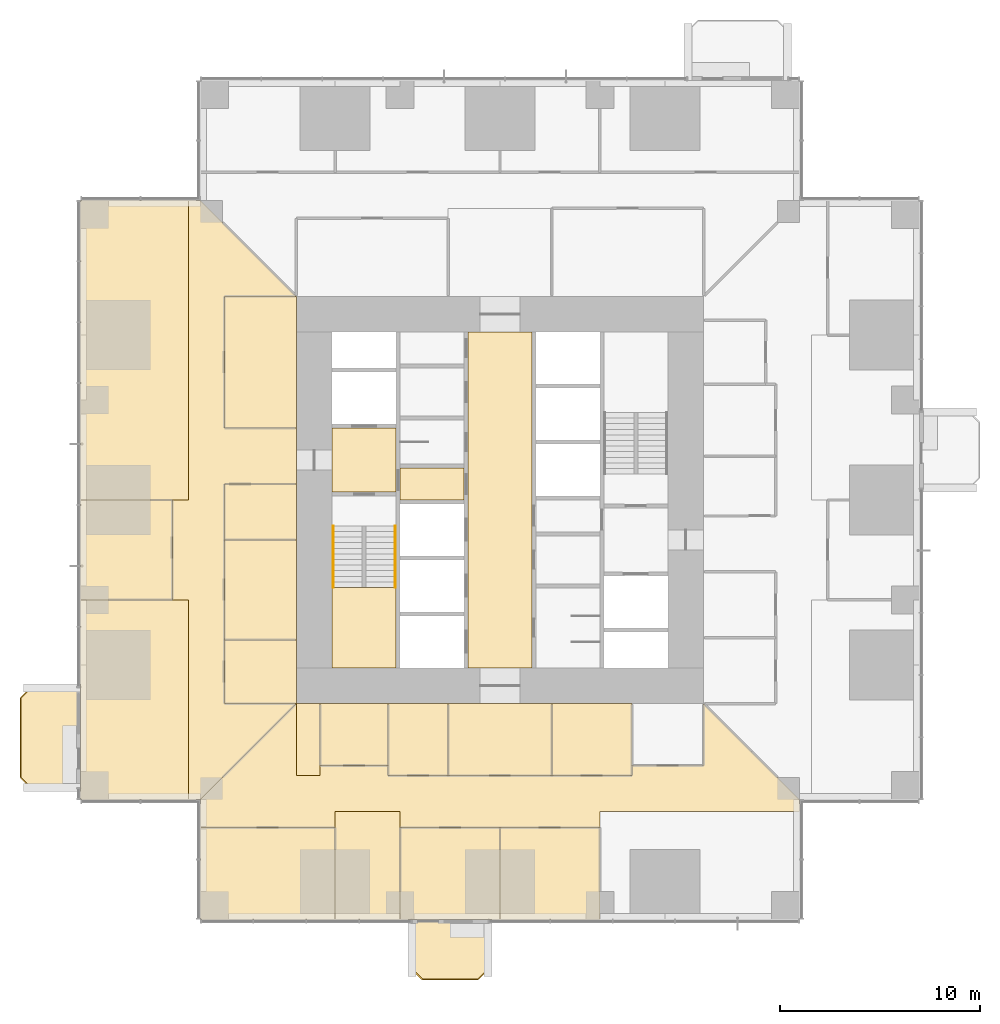
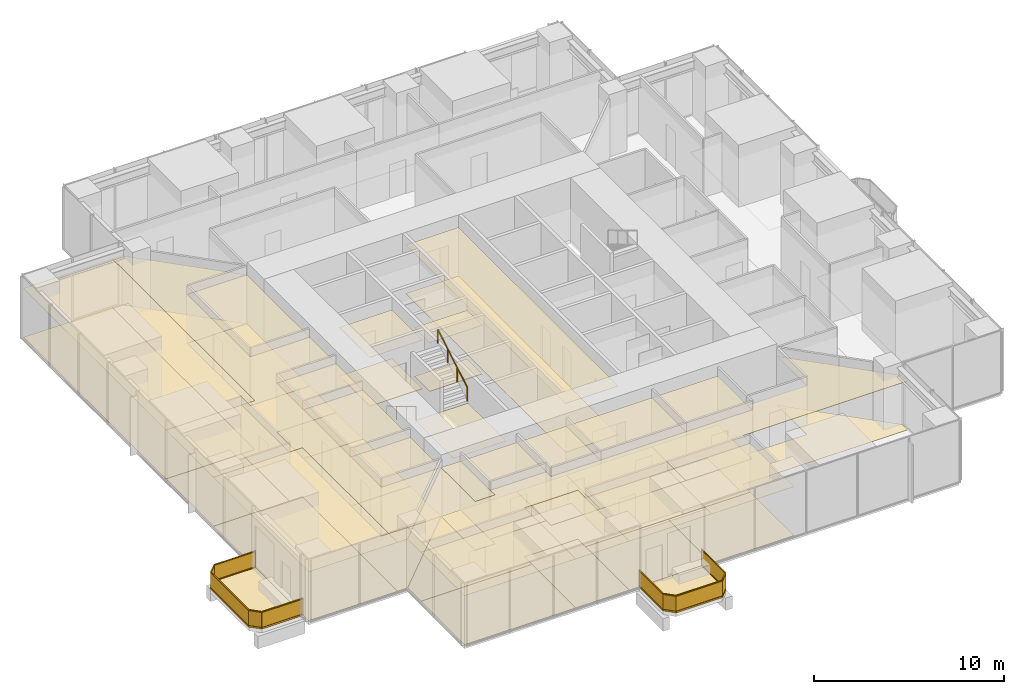
# One storey, part 15 of 18: 45 coverings, 4 railings.
"""IFC4 building model written with IfcOpenShell, lengths in metres."""

from ifc_helpers import new_model, si_unit, direction, frame, origin, origin_2d, place, context, subcontext, project, spatial, polyline, rectangle, circle, outline, extrude, material, layer, layer_set, type_object, element, save


model = new_model("IFC4")

# Units and contexts
model_context = context("Model", 3, precision=1e-05, world=origin(), true_north=direction((0.0, 1.0)))
body_context = subcontext(model_context, "Body", "Model", "MODEL_VIEW")
ifc_project = project(units=[si_unit("LENGTHUNIT", "METRE"), si_unit("AREAUNIT", "SQUARE_METRE"), si_unit("VOLUMEUNIT", "CUBIC_METRE"), si_unit("PLANEANGLEUNIT", "RADIAN"), si_unit("MASSUNIT", "GRAM", prefix="KILO")], contexts=[model_context])

# Site, building, storey
site_placement = place(None, origin())
site = spatial("IfcSite", under=ifc_project, at=site_placement, CompositionType="ELEMENT")
building_placement = place(site_placement, origin())
building = spatial("IfcBuilding", under=site, at=building_placement, Name="Svetlomir Tower", CompositionType="ELEMENT")
storey_placement = place(building_placement, frame((0.0, 0.0, 54.5)))
storey = spatial("IfcBuildingStorey", under=building, at=storey_placement, Name="L12", CompositionType="ELEMENT", Elevation=54.5)

# Railings
ifc_material_1 = material(Name="Bronze anodised aluminium and laminated glass", Category="aluminium")
railing_type_1 = type_object("IfcRailingType", Name="BALCONY GUARD GR1 1100", PredefinedType="GUARDRAIL", material=ifc_material_1)
railing_1_placement = place(storey_placement, frame((16.60009765625, 0.0, 0.0)))
element("IfcRailing", 1, at=railing_1_placement, inside=storey, type_object=railing_type_1, Name="Balcony guard S L12", PredefinedType="GUARDRAIL", context=body_context, shape_type="SweptSolid", body=[
    extrude(rectangle(XDim=0.06005859375, YDim=0.10009765625, at=origin_2d()), frame((0.0, 0.0, 0.050048828125), z_axis=(0.0, -1.0, 0.0), x_axis=(1.0, 0.0, 0.0)), (0.0, 0.0, 1.0), 2.5),
    extrude(rectangle(XDim=0.021484375, YDim=0.960205078125, at=origin_2d()), frame((0.0, 0.0, 0.580078125), z_axis=(0.0, -1.0, 0.0), x_axis=(1.0, 0.0, 0.0)), (0.0, 0.0, 1.0), 2.5),
    extrude(rectangle(XDim=0.06005859375, YDim=0.0400390625, at=origin_2d()), frame((0.0, 0.0, 1.080078125), z_axis=(0.0, -1.0, 0.0), x_axis=(1.0, 0.0, 0.0)), (0.0, 0.0, 1.0), 2.5),
    extrude(rectangle(XDim=0.06005859375, YDim=0.10009765625, at=origin_2d()), frame((0.0, -2.5, 0.050048828125), z_axis=(0.707106781187, -0.707106781187, 0.0), x_axis=(0.707106781187, 0.707106781187, 0.0)), (0.0, 0.0, 1.0), 0.70703125),
    extrude(rectangle(XDim=0.021484375, YDim=0.960205078125, at=origin_2d()), frame((0.0, -2.5, 0.580078125), z_axis=(0.707106781187, -0.707106781187, 0.0), x_axis=(0.707106781187, 0.707106781187, 0.0)), (0.0, 0.0, 1.0), 0.70703125),
    extrude(rectangle(XDim=0.06005859375, YDim=0.0400390625, at=origin_2d()), frame((0.0, -2.5, 1.080078125), z_axis=(0.707106781187, -0.707106781187, 0.0), x_axis=(0.707106781187, 0.707106781187, 0.0)), (0.0, 0.0, 1.0), 0.70703125),
    extrude(rectangle(XDim=0.06005859375, YDim=0.10009765625, at=origin_2d()), frame((0.5, -3.0, 0.050048828125), z_axis=(1.0, 0.0, 0.0), x_axis=(0.0, 1.0, 0.0)), (0.0, 0.0, 1.0), 2.7998046875),
    extrude(rectangle(XDim=0.021484375, YDim=0.960205078125, at=origin_2d()), frame((0.5, -3.0, 0.580078125), z_axis=(1.0, 0.0, 0.0), x_axis=(0.0, 1.0, 0.0)), (0.0, 0.0, 1.0), 2.7998046875),
    extrude(rectangle(XDim=0.06005859375, YDim=0.0400390625, at=origin_2d()), frame((0.5, -3.0, 1.080078125), z_axis=(1.0, 0.0, 0.0), x_axis=(0.0, 1.0, 0.0)), (0.0, 0.0, 1.0), 2.7998046875),
    extrude(rectangle(XDim=0.06005859375, YDim=0.10009765625, at=origin_2d()), frame((3.2998046875, -3.0, 0.050048828125), z_axis=(0.707106781187, 0.707106781187, 0.0), x_axis=(-0.707106781187, 0.707106781187, 0.0)), (0.0, 0.0, 1.0), 0.70703125),
    extrude(rectangle(XDim=0.021484375, YDim=0.960205078125, at=origin_2d()), frame((3.2998046875, -3.0, 0.580078125), z_axis=(0.707106781187, 0.707106781187, 0.0), x_axis=(-0.707106781187, 0.707106781187, 0.0)), (0.0, 0.0, 1.0), 0.70703125),
    extrude(rectangle(XDim=0.06005859375, YDim=0.0400390625, at=origin_2d()), frame((3.2998046875, -3.0, 1.080078125), z_axis=(0.707106781187, 0.707106781187, 0.0), x_axis=(-0.707106781187, 0.707106781187, 0.0)), (0.0, 0.0, 1.0), 0.70703125),
    extrude(rectangle(XDim=0.06005859375, YDim=0.10009765625, at=origin_2d()), frame((3.7998046875, -2.5, 0.050048828125), z_axis=(0.0, 1.0, 0.0), x_axis=(-1.0, 0.0, 0.0)), (0.0, 0.0, 1.0), 2.5),
    extrude(rectangle(XDim=0.021484375, YDim=0.960205078125, at=origin_2d()), frame((3.7998046875, -2.5, 0.580078125), z_axis=(0.0, 1.0, 0.0), x_axis=(-1.0, 0.0, 0.0)), (0.0, 0.0, 1.0), 2.5),
    extrude(rectangle(XDim=0.06005859375, YDim=0.0400390625, at=origin_2d()), frame((3.7998046875, -2.5, 1.080078125), z_axis=(0.0, 1.0, 0.0), x_axis=(-1.0, 0.0, 0.0)), (0.0, 0.0, 1.0), 2.5),
])
railing_2_placement = place(storey_placement, frame((0.0, 11.60009765625, 0.0)))
element("IfcRailing", 2, at=railing_2_placement, inside=storey, type_object=railing_type_1, Name="Balcony guard W L12", PredefinedType="GUARDRAIL", context=body_context, shape_type="SweptSolid", body=[
    extrude(rectangle(XDim=0.06005859375, YDim=0.10009765625, at=origin_2d()), frame((0.0, 0.0, 0.050048828125), z_axis=(-1.0, 0.0, 0.0), x_axis=(0.0, -1.0, 0.0)), (0.0, 0.0, 1.0), 2.5),
    extrude(rectangle(XDim=0.021484375, YDim=0.960205078125, at=origin_2d()), frame((0.0, 0.0, 0.580078125), z_axis=(-1.0, 0.0, 0.0), x_axis=(0.0, -1.0, 0.0)), (0.0, 0.0, 1.0), 2.5),
    extrude(rectangle(XDim=0.06005859375, YDim=0.0400390625, at=origin_2d()), frame((0.0, 0.0, 1.080078125), z_axis=(-1.0, 0.0, 0.0), x_axis=(0.0, -1.0, 0.0)), (0.0, 0.0, 1.0), 2.5),
    extrude(rectangle(XDim=0.06005859375, YDim=0.10009765625, at=origin_2d()), frame((-2.5, 0.0, 0.050048828125), z_axis=(-0.707106781187, -0.707106781187, 0.0), x_axis=(0.707106781187, -0.707106781187, 0.0)), (0.0, 0.0, 1.0), 0.70703125),
    extrude(rectangle(XDim=0.021484375, YDim=0.960205078125, at=origin_2d()), frame((-2.5, 0.0, 0.580078125), z_axis=(-0.707106781187, -0.707106781187, 0.0), x_axis=(0.707106781187, -0.707106781187, 0.0)), (0.0, 0.0, 1.0), 0.70703125),
    extrude(rectangle(XDim=0.06005859375, YDim=0.0400390625, at=origin_2d()), frame((-2.5, 0.0, 1.080078125), z_axis=(-0.707106781187, -0.707106781187, 0.0), x_axis=(0.707106781187, -0.707106781187, 0.0)), (0.0, 0.0, 1.0), 0.70703125),
    extrude(rectangle(XDim=0.06005859375, YDim=0.10009765625, at=origin_2d()), frame((-3.0, -0.5, 0.050048828125), z_axis=(0.0, -1.0, 0.0), x_axis=(1.0, 0.0, 0.0)), (0.0, 0.0, 1.0), 4.0),
    extrude(rectangle(XDim=0.021484375, YDim=0.960205078125, at=origin_2d()), frame((-3.0, -0.5, 0.580078125), z_axis=(0.0, -1.0, 0.0), x_axis=(1.0, 0.0, 0.0)), (0.0, 0.0, 1.0), 4.0),
    extrude(rectangle(XDim=0.06005859375, YDim=0.0400390625, at=origin_2d()), frame((-3.0, -0.5, 1.080078125), z_axis=(0.0, -1.0, 0.0), x_axis=(1.0, 0.0, 0.0)), (0.0, 0.0, 1.0), 4.0),
    extrude(rectangle(XDim=0.06005859375, YDim=0.10009765625, at=origin_2d()), frame((-3.0, -4.5, 0.050048828125), z_axis=(0.707106781187, -0.707106781187, 0.0), x_axis=(0.707106781187, 0.707106781187, 0.0)), (0.0, 0.0, 1.0), 0.70703125),
    extrude(rectangle(XDim=0.021484375, YDim=0.960205078125, at=origin_2d()), frame((-3.0, -4.5, 0.580078125), z_axis=(0.707106781187, -0.707106781187, 0.0), x_axis=(0.707106781187, 0.707106781187, 0.0)), (0.0, 0.0, 1.0), 0.70703125),
    extrude(rectangle(XDim=0.06005859375, YDim=0.0400390625, at=origin_2d()), frame((-3.0, -4.5, 1.080078125), z_axis=(0.707106781187, -0.707106781187, 0.0), x_axis=(0.707106781187, 0.707106781187, 0.0)), (0.0, 0.0, 1.0), 0.70703125),
    extrude(rectangle(XDim=0.06005859375, YDim=0.10009765625, at=origin_2d()), frame((-2.5, -5.0, 0.050048828125), z_axis=(1.0, 0.0, 0.0), x_axis=(0.0, 1.0, 0.0)), (0.0, 0.0, 1.0), 2.5),
    extrude(rectangle(XDim=0.021484375, YDim=0.960205078125, at=origin_2d()), frame((-2.5, -5.0, 0.580078125), z_axis=(1.0, 0.0, 0.0), x_axis=(0.0, 1.0, 0.0)), (0.0, 0.0, 1.0), 2.5),
    extrude(rectangle(XDim=0.06005859375, YDim=0.0400390625, at=origin_2d()), frame((-2.5, -5.0, 1.080078125), z_axis=(1.0, 0.0, 0.0), x_axis=(0.0, 1.0, 0.0)), (0.0, 0.0, 1.0), 2.5),
])

# Coverings
ifc_material_2 = material(Name="Granite paving slabs on pedestals", Category="masonry")
ifc_layer_1 = layer(ifc_material_2, 0.0400390625)
ifc_layer_set_1 = layer_set([ifc_layer_1], Name="Granite paving slabs on pedestals")
covering_type_1 = type_object("IfcCoveringType", Name="BALCONY PAVING 40", PredefinedType="USERDEFINED", material=ifc_layer_set_1)
covering_1_placement = place(storey_placement, origin())
element("IfcCovering", 3, at=covering_1_placement, inside=storey, type_object=covering_type_1, Name="Balcony paving S L12", ObjectType="BALCONY PAVING", PredefinedType="USERDEFINED", context=body_context, shape_type="SweptSolid", body=[
    extrude(outline(polyline([(16.60009765625, -2.5), (17.10009765625, -3.0), (19.89990234375, -3.0), (20.39990234375, -2.5), (20.39990234375, 0.0), (16.60009765625, 0.0), (16.60009765625, -2.5)])), origin(), (0.0, 0.0, 1.0), 0.0400390625),
])
covering_2_placement = place(storey_placement, origin())
element("IfcCovering", 4, at=covering_2_placement, inside=storey, type_object=covering_type_1, Name="Balcony paving W L12", ObjectType="BALCONY PAVING", PredefinedType="USERDEFINED", context=body_context, shape_type="SweptSolid", body=[
    extrude(outline(polyline([(-2.5, 6.60009765625), (0.0, 6.60009765625), (0.0, 11.60009765625), (-2.5, 11.60009765625), (-3.0, 11.10009765625), (-3.0, 7.10009765625), (-2.5, 6.60009765625)])), origin(), (0.0, 0.0, 1.0), 0.0400390625),
])
ifc_material_3 = material(Name="Carpet tile", Category="textile")
ifc_layer_2 = layer(ifc_material_3, 0.010009765625)
ifc_layer_set_2 = layer_set([ifc_layer_2], Name="Carpet tile")
covering_type_2 = type_object("IfcCoveringType", Name="CARPET TILE FLOOR 10", PredefinedType="FLOORING", material=ifc_layer_set_2)
covering_3_placement = place(storey_placement, origin())
element("IfcCovering", 5, at=covering_3_placement, inside=storey, type_object=covering_type_2, Name="Floor finish L12-13", PredefinedType="FLOORING", context=body_context, shape_type="SweptSolid", body=[
    extrude(outline(polyline([(12.0, 7.699951171875), (15.39990234375, 7.699951171875), (15.39990234375, 10.800048828125), (12.0, 10.800048828125), (12.0, 7.699951171875)])), origin(), (0.0, 0.0, 1.0), 0.010009765625),
])
covering_4_placement = place(storey_placement, origin())
element("IfcCovering", 6, at=covering_4_placement, inside=storey, type_object=covering_type_2, Name="Floor finish L12-14", PredefinedType="FLOORING", context=body_context, shape_type="SweptSolid", body=[
    extrude(outline(polyline([(15.39990234375, 7.199951171875), (18.39990234375, 7.199951171875), (18.39990234375, 10.800048828125), (15.39990234375, 10.800048828125), (15.39990234375, 7.199951171875)])), origin(), (0.0, 0.0, 1.0), 0.010009765625),
])
covering_5_placement = place(storey_placement, origin())
element("IfcCovering", 7, at=covering_5_placement, inside=storey, type_object=covering_type_2, Name="Floor finish L12-15", PredefinedType="FLOORING", context=body_context, shape_type="SweptSolid", body=[
    extrude(outline(polyline([(23.60009765625, 7.199951171875), (27.60009765625, 7.199951171875), (27.60009765625, 10.800048828125), (23.60009765625, 10.800048828125), (23.60009765625, 7.199951171875)])), origin(), (0.0, 0.0, 1.0), 0.010009765625),
])
covering_6_placement = place(storey_placement, origin())
element("IfcCovering", 8, at=covering_6_placement, inside=storey, type_object=covering_type_2, Name="Floor finish L12-17", PredefinedType="FLOORING", context=body_context, shape_type="SweptSolid", body=[
    extrude(outline(polyline([(6.0, 0.0), (12.75, 0.0), (12.75, 4.60009765625), (6.0, 4.60009765625), (6.0, 0.0)])), origin(), (0.0, 0.0, 1.0), 0.010009765625),
])
covering_7_placement = place(storey_placement, origin())
element("IfcCovering", 9, at=covering_7_placement, inside=storey, type_object=covering_type_2, Name="Floor finish L12-18", PredefinedType="FLOORING", context=body_context, shape_type="SweptSolid", body=[
    extrude(outline(polyline([(16.0, 0.0), (21.0, 0.0), (21.0, 4.60009765625), (16.0, 4.60009765625), (16.0, 0.0)])), origin(), (0.0, 0.0, 1.0), 0.010009765625),
])
covering_8_placement = place(storey_placement, origin())
element("IfcCovering", 10, at=covering_8_placement, inside=storey, type_object=covering_type_2, Name="Floor finish L12-19", PredefinedType="FLOORING", context=body_context, shape_type="SweptSolid", body=[
    extrude(outline(polyline([(21.0, 0.0), (26.0, 0.0), (26.0, 4.60009765625), (21.0, 4.60009765625), (21.0, 0.0)])), origin(), (0.0, 0.0, 1.0), 0.010009765625),
])
covering_9_placement = place(storey_placement, origin())
element("IfcCovering", 11, at=covering_9_placement, inside=storey, type_object=covering_type_2, Name="Floor finish L12-30", PredefinedType="FLOORING", context=body_context, shape_type="SweptSolid", body=[
    extrude(outline(polyline([(7.199951171875, 10.800048828125), (10.800048828125, 10.800048828125), (10.800048828125, 14.0), (7.199951171875, 14.0), (7.199951171875, 10.800048828125)])), origin(), (0.0, 0.0, 1.0), 0.010009765625),
])
covering_10_placement = place(storey_placement, origin())
element("IfcCovering", 12, at=covering_10_placement, inside=storey, type_object=covering_type_2, Name="Floor finish L12-31", PredefinedType="FLOORING", context=body_context, shape_type="SweptSolid", body=[
    extrude(outline(polyline([(7.199951171875, 14.0), (10.800048828125, 14.0), (10.800048828125, 19.0), (7.199951171875, 19.0), (7.199951171875, 14.0)])), origin(), (0.0, 0.0, 1.0), 0.010009765625),
])
covering_11_placement = place(storey_placement, origin())
element("IfcCovering", 13, at=covering_11_placement, inside=storey, type_object=covering_type_2, Name="Floor finish L12-32", PredefinedType="FLOORING", context=body_context, shape_type="SweptSolid", body=[
    extrude(outline(polyline([(7.199951171875, 24.60009765625), (10.800048828125, 24.60009765625), (10.800048828125, 31.199951171875), (7.199951171875, 31.199951171875), (7.199951171875, 24.60009765625)])), origin(), (0.0, 0.0, 1.0), 0.010009765625),
])
covering_12_placement = place(storey_placement, origin())
element("IfcCovering", 14, at=covering_12_placement, inside=storey, type_object=covering_type_2, Name="Floor finish L12-33", PredefinedType="FLOORING", context=body_context, shape_type="SweptSolid", body=[
    extrude(outline(polyline([(0.0, 16.0), (4.60009765625, 16.0), (4.60009765625, 21.0), (0.0, 21.0), (0.0, 16.0)])), origin(), (0.0, 0.0, 1.0), 0.010009765625),
])
covering_13_placement = place(storey_placement, origin())
element("IfcCovering", 15, at=covering_13_placement, inside=storey, type_object=covering_type_2, Name="Floor finish L12-34", PredefinedType="FLOORING", context=body_context, shape_type="SweptSolid", body=[
    extrude(outline(polyline([(6.0, 6.0), (10.800048828125, 10.800048828125), (10.800048828125, 7.199951171875), (12.0, 7.199951171875), (12.0, 7.699951171875), (15.39990234375, 7.699951171875), (15.39990234375, 7.199951171875), (27.60009765625, 7.199951171875), (27.60009765625, 7.699951171875), (31.199951171875, 7.699951171875), (31.199951171875, 10.800048828125), (36.0, 6.0), (36.0, 5.39990234375), (26.0, 5.39990234375), (26.0, 4.60009765625), (16.0, 4.60009765625), (16.0, 5.39990234375), (12.75, 5.39990234375), (12.75, 4.60009765625), (6.0, 4.60009765625), (6.0, 6.0)])), origin(), (0.0, 0.0, 1.0), 0.010009765625),
])
covering_14_placement = place(storey_placement, origin())
element("IfcCovering", 16, at=covering_14_placement, inside=storey, type_object=covering_type_2, Name="Floor finish L12-37", PredefinedType="FLOORING", context=body_context, shape_type="SweptSolid", body=[
    extrude(outline(polyline([(5.39990234375, 6.0), (5.39990234375, 16.0), (4.60009765625, 16.0), (4.60009765625, 21.0), (5.39990234375, 21.0), (5.39990234375, 36.0), (6.0, 36.0), (10.800048828125, 31.199951171875), (7.199951171875, 31.199951171875), (7.199951171875, 24.60009765625), (10.800048828125, 24.60009765625), (10.800048828125, 21.800048828125), (7.199951171875, 21.800048828125), (7.199951171875, 10.800048828125), (10.800048828125, 10.800048828125), (6.0, 6.0), (5.39990234375, 6.0)])), origin(), (0.0, 0.0, 1.0), 0.010009765625),
])
covering_15_placement = place(storey_placement, origin())
element("IfcCovering", 17, at=covering_15_placement, inside=storey, type_object=covering_type_2, Name="Floor finish L12-38", PredefinedType="FLOORING", context=body_context, shape_type="SweptSolid", body=[
    extrude(outline(polyline([(12.75, 5.39990234375), (16.0, 5.39990234375), (16.0, 0.0), (12.75, 0.0), (12.75, 5.39990234375)])), origin(), (0.0, 0.0, 1.0), 0.010009765625),
])
covering_16_placement = place(storey_placement, origin())
element("IfcCovering", 18, at=covering_16_placement, inside=storey, type_object=covering_type_2, Name="Floor finish L12-40", PredefinedType="FLOORING", context=body_context, shape_type="SweptSolid", body=[
    extrude(outline(polyline([(23.60009765625, 10.800048828125), (23.60009765625, 7.199951171875), (18.39990234375, 7.199951171875), (18.39990234375, 10.800048828125), (23.60009765625, 10.800048828125)])), origin(), (0.0, 0.0, 1.0), 0.010009765625),
])
covering_17_placement = place(storey_placement, origin())
element("IfcCovering", 19, at=covering_17_placement, inside=storey, type_object=covering_type_2, Name="Floor finish L12-41", PredefinedType="FLOORING", context=body_context, shape_type="SweptSolid", body=[
    extrude(outline(polyline([(12.0, 7.199951171875), (10.800048828125, 7.199951171875), (10.800048828125, 10.800048828125), (12.0, 10.800048828125), (12.0, 7.199951171875)])), origin(), (0.0, 0.0, 1.0), 0.010009765625),
])
covering_18_placement = place(storey_placement, origin())
element("IfcCovering", 20, at=covering_18_placement, inside=storey, type_object=covering_type_2, Name="Floor finish L12-48", PredefinedType="FLOORING", context=body_context, shape_type="SweptSolid", body=[
    extrude(outline(polyline([(0.0, 16.0), (5.39990234375, 16.0), (5.39990234375, 6.0), (0.0, 6.0), (0.0, 16.0)])), origin(), (0.0, 0.0, 1.0), 0.010009765625),
])
covering_19_placement = place(storey_placement, origin())
element("IfcCovering", 21, at=covering_19_placement, inside=storey, type_object=covering_type_2, Name="Floor finish L12-49", PredefinedType="FLOORING", context=body_context, shape_type="SweptSolid", body=[
    extrude(outline(polyline([(0.0, 36.0), (5.39990234375, 36.0), (5.39990234375, 21.0), (0.0, 21.0), (0.0, 36.0)])), origin(), (0.0, 0.0, 1.0), 0.010009765625),
])
covering_20_placement = place(storey_placement, origin())
element("IfcCovering", 22, at=covering_20_placement, inside=storey, type_object=covering_type_2, Name="Floor finish L12-50", PredefinedType="FLOORING", context=body_context, shape_type="SweptSolid", body=[
    extrude(outline(polyline([(7.199951171875, 19.0), (7.199951171875, 21.800048828125), (10.800048828125, 21.800048828125), (10.800048828125, 19.0), (7.199951171875, 19.0)])), origin(), (0.0, 0.0, 1.0), 0.010009765625),
])

# Railings
ifc_material_4 = material(Name="Stainless steel", Category="steel")
railing_type_2 = type_object("IfcRailingType", Name="HANDRAIL HR1 900", PredefinedType="HANDRAIL", material=ifc_material_4)
railing_3_placement = place(storey_placement, frame((12.64990234375, 19.699951171875, 0.166748046875)))
element("IfcRailing", 23, at=railing_3_placement, inside=storey, type_object=railing_type_2, Name="Handrail S1 flight 1 L12", PredefinedType="HANDRAIL", context=body_context, shape_type="SweptSolid", body=[
    extrude(circle(Radius=0.02392578125, at=origin_2d()), frame((0.0, 0.0, 0.8759765625), z_axis=(0.0, -0.859290745958, 0.51148745235), x_axis=(1.0, 0.0, 0.0)), (0.0, 0.0, 1.0), 3.584228515625),
    extrude(circle(Radius=0.02099609375, at=origin_2d()), origin(), (0.0, 0.0, 1.0), 0.851806640625),
    extrude(circle(Radius=0.02099609375, at=origin_2d()), frame((0.0, -1.026611328125, 0.611083984375)), (0.0, 0.0, 1.0), 0.851806640625),
    extrude(circle(Radius=0.02099609375, at=origin_2d()), frame((0.0, -2.05322265625, 1.22216796875)), (0.0, 0.0, 1.0), 0.851806640625),
    extrude(circle(Radius=0.02099609375, at=origin_2d()), frame((0.0, -3.079833984375, 1.833251953125)), (0.0, 0.0, 1.0), 0.851806640625),
])
railing_4_placement = place(storey_placement, frame((15.75, 16.6201171875, 2.166748046875)))
element("IfcRailing", 24, at=railing_4_placement, inside=storey, type_object=railing_type_2, Name="Handrail S1 flight 2 L12", PredefinedType="HANDRAIL", context=body_context, shape_type="SweptSolid", body=[
    extrude(circle(Radius=0.02392578125, at=origin_2d()), frame((0.0, 0.0, 0.8759765625), z_axis=(0.0, 0.859290745958, 0.51148745235), x_axis=(-1.0, 0.0, 0.0)), (0.0, 0.0, 1.0), 3.584228515625),
    extrude(circle(Radius=0.02099609375, at=origin_2d()), origin(), (0.0, 0.0, 1.0), 0.851806640625),
    extrude(circle(Radius=0.02099609375, at=origin_2d()), frame((0.0, 1.026611328125, 0.611083984375)), (0.0, 0.0, 1.0), 0.851806640625),
    extrude(circle(Radius=0.02099609375, at=origin_2d()), frame((0.0, 2.05322265625, 1.22216796875)), (0.0, 0.0, 1.0), 0.851806640625),
    extrude(circle(Radius=0.02099609375, at=origin_2d()), frame((0.0, 3.079833984375, 1.833251953125)), (0.0, 0.0, 1.0), 0.851806640625),
])

# Coverings
ifc_material_5 = material(Name="Gypsum plasterboard ceiling", Category="gypsum")
ifc_layer_3 = layer(ifc_material_5, 0.014892578125)
ifc_layer_set_3 = layer_set([ifc_layer_3], Name="Gypsum plasterboard ceiling")
covering_type_3 = type_object("IfcCoveringType", Name="PLASTERBOARD CEILING 15", PredefinedType="CEILING", material=ifc_layer_set_3)
covering_21_placement = place(storey_placement, frame((0.0, 0.0, 3.135009765625)))
element("IfcCovering", 25, at=covering_21_placement, inside=storey, type_object=covering_type_3, Name="Ceiling L12-02", PredefinedType="CEILING", context=body_context, shape_type="SweptSolid", body=[
    extrude(outline(polyline([(12.60009765625, 21.39990234375), (15.800048828125, 21.39990234375), (15.800048828125, 24.60009765625), (12.60009765625, 24.60009765625), (12.60009765625, 21.39990234375)])), origin(), (0.0, 0.0, 1.0), 0.014892578125),
])
covering_22_placement = place(storey_placement, frame((0.0, 0.0, 3.135009765625)))
element("IfcCovering", 26, at=covering_22_placement, inside=storey, type_object=covering_type_3, Name="Ceiling L12-03", PredefinedType="CEILING", context=body_context, shape_type="SweptSolid", body=[
    extrude(outline(polyline([(16.0, 21.0), (19.199951171875, 21.0), (19.199951171875, 22.60009765625), (16.0, 22.60009765625), (16.0, 21.0)])), origin(), (0.0, 0.0, 1.0), 0.014892578125),
])
covering_23_placement = place(storey_placement, frame((0.0, 0.0, 3.135009765625)))
element("IfcCovering", 27, at=covering_23_placement, inside=storey, type_object=covering_type_3, Name="Ceiling L12-07", PredefinedType="CEILING", context=body_context, shape_type="SweptSolid", body=[
    extrude(outline(polyline([(19.39990234375, 12.60009765625), (22.60009765625, 12.60009765625), (22.60009765625, 29.39990234375), (19.39990234375, 29.39990234375), (19.39990234375, 12.60009765625)])), origin(), (0.0, 0.0, 1.0), 0.014892578125),
])
ifc_material_6 = material(Name="Studded rubber floor finish", Category="rubber")
ifc_layer_4 = layer(ifc_material_6, 0.006103515625)
ifc_layer_set_4 = layer_set([ifc_layer_4], Name="Studded rubber floor finish")
covering_type_4 = type_object("IfcCoveringType", Name="RUBBER LANDING FINISH 6", PredefinedType="FLOORING", material=ifc_layer_set_4)
covering_24_placement = place(storey_placement, frame((0.0, 0.0, 2.0)))
element("IfcCovering", 28, at=covering_24_placement, inside=storey, type_object=covering_type_4, Name="Stair S1 landing finish L12", PredefinedType="FLOORING", context=body_context, shape_type="SweptSolid", body=[
    extrude(outline(polyline([(12.60009765625, 12.60009765625), (15.800048828125, 12.60009765625), (15.800048828125, 16.6201171875), (12.60009765625, 16.6201171875), (12.60009765625, 12.60009765625)])), origin(), (0.0, 0.0, 1.0), 0.006103515625),
])
ifc_material_7 = material(Name="Mineral fibre ceiling tile", Category="mineral")
ifc_layer_5 = layer(ifc_material_7, 0.02001953125)
ifc_layer_set_5 = layer_set([ifc_layer_5], Name="Mineral fibre ceiling tile")
covering_type_5 = type_object("IfcCoveringType", Name="SUSPENDED CEILING 20", PredefinedType="CEILING", material=ifc_layer_set_5)
covering_25_placement = place(storey_placement, frame((0.0, 0.0, 3.1298828125)))
element("IfcCovering", 29, at=covering_25_placement, inside=storey, type_object=covering_type_5, Name="Ceiling L12-13", PredefinedType="CEILING", context=body_context, shape_type="SweptSolid", body=[
    extrude(outline(polyline([(12.0, 7.699951171875), (15.39990234375, 7.699951171875), (15.39990234375, 10.800048828125), (12.0, 10.800048828125), (12.0, 7.699951171875)])), origin(), (0.0, 0.0, 1.0), 0.02001953125),
])
covering_26_placement = place(storey_placement, frame((0.0, 0.0, 3.1298828125)))
element("IfcCovering", 30, at=covering_26_placement, inside=storey, type_object=covering_type_5, Name="Ceiling L12-14", PredefinedType="CEILING", context=body_context, shape_type="SweptSolid", body=[
    extrude(outline(polyline([(15.39990234375, 7.199951171875), (18.39990234375, 7.199951171875), (18.39990234375, 10.800048828125), (15.39990234375, 10.800048828125), (15.39990234375, 7.199951171875)])), origin(), (0.0, 0.0, 1.0), 0.02001953125),
])
covering_27_placement = place(storey_placement, frame((0.0, 0.0, 3.1298828125)))
element("IfcCovering", 31, at=covering_27_placement, inside=storey, type_object=covering_type_5, Name="Ceiling L12-15", PredefinedType="CEILING", context=body_context, shape_type="SweptSolid", body=[
    extrude(outline(polyline([(23.60009765625, 7.199951171875), (27.60009765625, 7.199951171875), (27.60009765625, 10.800048828125), (23.60009765625, 10.800048828125), (23.60009765625, 7.199951171875)])), origin(), (0.0, 0.0, 1.0), 0.02001953125),
])
covering_28_placement = place(storey_placement, frame((0.0, 0.0, 3.1298828125)))
element("IfcCovering", 32, at=covering_28_placement, inside=storey, type_object=covering_type_5, Name="Ceiling L12-17", PredefinedType="CEILING", context=body_context, shape_type="SweptSolid", body=[
    extrude(outline(polyline([(6.0, 0.0), (12.75, 0.0), (12.75, 4.60009765625), (6.0, 4.60009765625), (6.0, 0.0)])), origin(), (0.0, 0.0, 1.0), 0.02001953125),
])
covering_29_placement = place(storey_placement, frame((0.0, 0.0, 3.1298828125)))
element("IfcCovering", 33, at=covering_29_placement, inside=storey, type_object=covering_type_5, Name="Ceiling L12-18", PredefinedType="CEILING", context=body_context, shape_type="SweptSolid", body=[
    extrude(outline(polyline([(16.0, 0.0), (21.0, 0.0), (21.0, 4.60009765625), (16.0, 4.60009765625), (16.0, 0.0)])), origin(), (0.0, 0.0, 1.0), 0.02001953125),
])
covering_30_placement = place(storey_placement, frame((0.0, 0.0, 3.1298828125)))
element("IfcCovering", 34, at=covering_30_placement, inside=storey, type_object=covering_type_5, Name="Ceiling L12-19", PredefinedType="CEILING", context=body_context, shape_type="SweptSolid", body=[
    extrude(outline(polyline([(21.0, 0.0), (26.0, 0.0), (26.0, 4.60009765625), (21.0, 4.60009765625), (21.0, 0.0)])), origin(), (0.0, 0.0, 1.0), 0.02001953125),
])
covering_31_placement = place(storey_placement, frame((0.0, 0.0, 3.1298828125)))
element("IfcCovering", 35, at=covering_31_placement, inside=storey, type_object=covering_type_5, Name="Ceiling L12-30", PredefinedType="CEILING", context=body_context, shape_type="SweptSolid", body=[
    extrude(outline(polyline([(7.199951171875, 10.800048828125), (10.800048828125, 10.800048828125), (10.800048828125, 14.0), (7.199951171875, 14.0), (7.199951171875, 10.800048828125)])), origin(), (0.0, 0.0, 1.0), 0.02001953125),
])
covering_32_placement = place(storey_placement, frame((0.0, 0.0, 3.1298828125)))
element("IfcCovering", 36, at=covering_32_placement, inside=storey, type_object=covering_type_5, Name="Ceiling L12-31", PredefinedType="CEILING", context=body_context, shape_type="SweptSolid", body=[
    extrude(outline(polyline([(7.199951171875, 14.0), (10.800048828125, 14.0), (10.800048828125, 19.0), (7.199951171875, 19.0), (7.199951171875, 14.0)])), origin(), (0.0, 0.0, 1.0), 0.02001953125),
])
covering_33_placement = place(storey_placement, frame((0.0, 0.0, 3.1298828125)))
element("IfcCovering", 37, at=covering_33_placement, inside=storey, type_object=covering_type_5, Name="Ceiling L12-32", PredefinedType="CEILING", context=body_context, shape_type="SweptSolid", body=[
    extrude(outline(polyline([(7.199951171875, 24.60009765625), (10.800048828125, 24.60009765625), (10.800048828125, 31.199951171875), (7.199951171875, 31.199951171875), (7.199951171875, 24.60009765625)])), origin(), (0.0, 0.0, 1.0), 0.02001953125),
])
covering_34_placement = place(storey_placement, frame((0.0, 0.0, 3.1298828125)))
element("IfcCovering", 38, at=covering_34_placement, inside=storey, type_object=covering_type_5, Name="Ceiling L12-33", PredefinedType="CEILING", context=body_context, shape_type="SweptSolid", body=[
    extrude(outline(polyline([(0.0, 16.0), (4.60009765625, 16.0), (4.60009765625, 21.0), (0.0, 21.0), (0.0, 16.0)])), origin(), (0.0, 0.0, 1.0), 0.02001953125),
])
covering_35_placement = place(storey_placement, frame((0.0, 0.0, 3.1298828125)))
element("IfcCovering", 39, at=covering_35_placement, inside=storey, type_object=covering_type_5, Name="Ceiling L12-34", PredefinedType="CEILING", context=body_context, shape_type="SweptSolid", body=[
    extrude(outline(polyline([(6.0, 6.0), (10.800048828125, 10.800048828125), (10.800048828125, 7.199951171875), (12.0, 7.199951171875), (12.0, 7.699951171875), (15.39990234375, 7.699951171875), (15.39990234375, 7.199951171875), (27.60009765625, 7.199951171875), (27.60009765625, 7.699951171875), (31.199951171875, 7.699951171875), (31.199951171875, 10.800048828125), (36.0, 6.0), (36.0, 5.39990234375), (26.0, 5.39990234375), (26.0, 4.60009765625), (16.0, 4.60009765625), (16.0, 5.39990234375), (12.75, 5.39990234375), (12.75, 4.60009765625), (6.0, 4.60009765625), (6.0, 6.0)])), origin(), (0.0, 0.0, 1.0), 0.02001953125),
])
covering_36_placement = place(storey_placement, frame((0.0, 0.0, 3.1298828125)))
element("IfcCovering", 40, at=covering_36_placement, inside=storey, type_object=covering_type_5, Name="Ceiling L12-37", PredefinedType="CEILING", context=body_context, shape_type="SweptSolid", body=[
    extrude(outline(polyline([(5.39990234375, 6.0), (5.39990234375, 16.0), (4.60009765625, 16.0), (4.60009765625, 21.0), (5.39990234375, 21.0), (5.39990234375, 36.0), (6.0, 36.0), (10.800048828125, 31.199951171875), (7.199951171875, 31.199951171875), (7.199951171875, 24.60009765625), (10.800048828125, 24.60009765625), (10.800048828125, 21.800048828125), (7.199951171875, 21.800048828125), (7.199951171875, 10.800048828125), (10.800048828125, 10.800048828125), (6.0, 6.0), (5.39990234375, 6.0)])), origin(), (0.0, 0.0, 1.0), 0.02001953125),
])
covering_37_placement = place(storey_placement, frame((0.0, 0.0, 3.1298828125)))
element("IfcCovering", 41, at=covering_37_placement, inside=storey, type_object=covering_type_5, Name="Ceiling L12-38", PredefinedType="CEILING", context=body_context, shape_type="SweptSolid", body=[
    extrude(outline(polyline([(12.75, 5.39990234375), (16.0, 5.39990234375), (16.0, 0.0), (12.75, 0.0), (12.75, 5.39990234375)])), origin(), (0.0, 0.0, 1.0), 0.02001953125),
])
covering_38_placement = place(storey_placement, frame((0.0, 0.0, 3.1298828125)))
element("IfcCovering", 42, at=covering_38_placement, inside=storey, type_object=covering_type_5, Name="Ceiling L12-40", PredefinedType="CEILING", context=body_context, shape_type="SweptSolid", body=[
    extrude(outline(polyline([(23.60009765625, 10.800048828125), (23.60009765625, 7.199951171875), (18.39990234375, 7.199951171875), (18.39990234375, 10.800048828125), (23.60009765625, 10.800048828125)])), origin(), (0.0, 0.0, 1.0), 0.02001953125),
])
covering_39_placement = place(storey_placement, frame((0.0, 0.0, 3.1298828125)))
element("IfcCovering", 43, at=covering_39_placement, inside=storey, type_object=covering_type_5, Name="Ceiling L12-41", PredefinedType="CEILING", context=body_context, shape_type="SweptSolid", body=[
    extrude(outline(polyline([(12.0, 7.199951171875), (10.800048828125, 7.199951171875), (10.800048828125, 10.800048828125), (12.0, 10.800048828125), (12.0, 7.199951171875)])), origin(), (0.0, 0.0, 1.0), 0.02001953125),
])
covering_40_placement = place(storey_placement, frame((0.0, 0.0, 3.1298828125)))
element("IfcCovering", 44, at=covering_40_placement, inside=storey, type_object=covering_type_5, Name="Ceiling L12-48", PredefinedType="CEILING", context=body_context, shape_type="SweptSolid", body=[
    extrude(outline(polyline([(0.0, 16.0), (5.39990234375, 16.0), (5.39990234375, 6.0), (0.0, 6.0), (0.0, 16.0)])), origin(), (0.0, 0.0, 1.0), 0.02001953125),
])
covering_41_placement = place(storey_placement, frame((0.0, 0.0, 3.1298828125)))
element("IfcCovering", 45, at=covering_41_placement, inside=storey, type_object=covering_type_5, Name="Ceiling L12-49", PredefinedType="CEILING", context=body_context, shape_type="SweptSolid", body=[
    extrude(outline(polyline([(0.0, 36.0), (5.39990234375, 36.0), (5.39990234375, 21.0), (0.0, 21.0), (0.0, 36.0)])), origin(), (0.0, 0.0, 1.0), 0.02001953125),
])
covering_42_placement = place(storey_placement, frame((0.0, 0.0, 3.1298828125)))
element("IfcCovering", 46, at=covering_42_placement, inside=storey, type_object=covering_type_5, Name="Ceiling L12-50", PredefinedType="CEILING", context=body_context, shape_type="SweptSolid", body=[
    extrude(outline(polyline([(7.199951171875, 19.0), (7.199951171875, 21.800048828125), (10.800048828125, 21.800048828125), (10.800048828125, 19.0), (7.199951171875, 19.0)])), origin(), (0.0, 0.0, 1.0), 0.02001953125),
])
ifc_material_8 = material(Name="Bronze-aggregate terrazzo", Category="stone")
ifc_layer_6 = layer(ifc_material_8, 0.030029296875)
ifc_layer_set_6 = layer_set([ifc_layer_6], Name="Bronze-aggregate terrazzo")
covering_type_6 = type_object("IfcCoveringType", Name="TERRAZZO FLOOR 30", PredefinedType="FLOORING", material=ifc_layer_set_6)
covering_43_placement = place(storey_placement, origin())
element("IfcCovering", 47, at=covering_43_placement, inside=storey, type_object=covering_type_6, Name="Floor finish L12-02", PredefinedType="FLOORING", context=body_context, shape_type="SweptSolid", body=[
    extrude(outline(polyline([(12.60009765625, 21.39990234375), (15.800048828125, 21.39990234375), (15.800048828125, 24.60009765625), (12.60009765625, 24.60009765625), (12.60009765625, 21.39990234375)])), origin(), (0.0, 0.0, 1.0), 0.030029296875),
])
covering_44_placement = place(storey_placement, origin())
element("IfcCovering", 48, at=covering_44_placement, inside=storey, type_object=covering_type_6, Name="Floor finish L12-03", PredefinedType="FLOORING", context=body_context, shape_type="SweptSolid", body=[
    extrude(outline(polyline([(16.0, 21.0), (19.199951171875, 21.0), (19.199951171875, 22.60009765625), (16.0, 22.60009765625), (16.0, 21.0)])), origin(), (0.0, 0.0, 1.0), 0.030029296875),
])
covering_45_placement = place(storey_placement, origin())
element("IfcCovering", 49, at=covering_45_placement, inside=storey, type_object=covering_type_6, Name="Floor finish L12-07", PredefinedType="FLOORING", context=body_context, shape_type="SweptSolid", body=[
    extrude(outline(polyline([(19.39990234375, 12.60009765625), (22.60009765625, 12.60009765625), (22.60009765625, 29.39990234375), (19.39990234375, 29.39990234375), (19.39990234375, 12.60009765625)])), origin(), (0.0, 0.0, 1.0), 0.030029296875),
])

save(model, "model.ifc")
